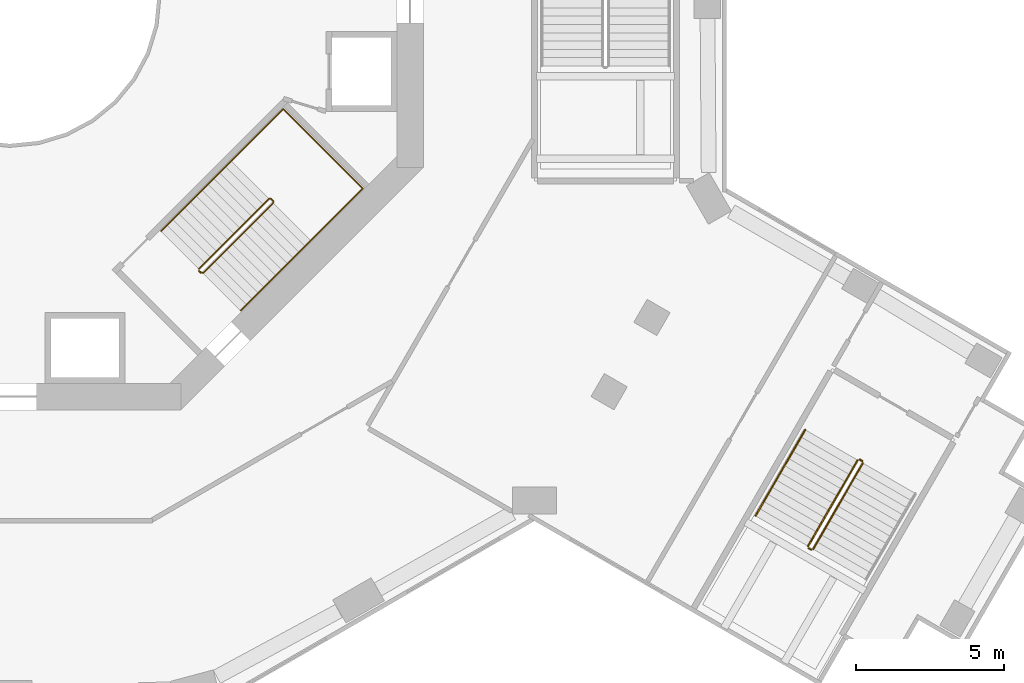
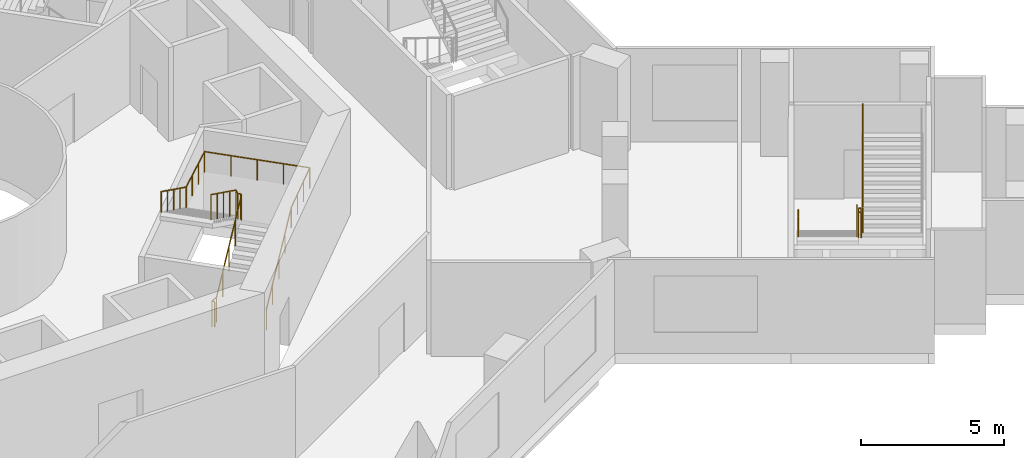
# One storey, part 17 of 20: 7 railings.
"""IFC4 building model written with IfcOpenShell, lengths in metres."""

from ifc_helpers import new_model, si_unit, direction, frame, origin, origin_2d, place, context, subcontext, project, spatial, circle, extrude, material, type_object, element, save


model = new_model("IFC4")

# Units and contexts
model_context = context("Model", 3, precision=1e-05, world=origin(), true_north=direction((0.0, 1.0)))
body_context = subcontext(model_context, "Body", "Model", "MODEL_VIEW")
ifc_project = project(units=[si_unit("LENGTHUNIT", "METRE"), si_unit("AREAUNIT", "SQUARE_METRE"), si_unit("VOLUMEUNIT", "CUBIC_METRE"), si_unit("PLANEANGLEUNIT", "RADIAN"), si_unit("MASSUNIT", "GRAM", prefix="KILO")], contexts=[model_context])

# Site, building, storey
site_placement = place(None, origin())
site = spatial("IfcSite", under=ifc_project, at=site_placement, CompositionType="ELEMENT")
building_placement = place(site_placement, origin())
building = spatial("IfcBuilding", under=site, at=building_placement, Name="Verdalira Terraces Hotel", CompositionType="ELEMENT")
storey_placement = place(building_placement, frame((0.0, 0.0, 23.5)))
storey = spatial("IfcBuildingStorey", under=building, at=storey_placement, Name="L04", CompositionType="ELEMENT", Elevation=23.5)

# Railings
ifc_material_1 = material(Name="Stainless steel", Category="steel")
railing_type_1 = type_object("IfcRailingType", Name="Stair guard 1100", PredefinedType="GUARDRAIL", material=ifc_material_1)
railing_1_placement = place(storey_placement, frame((6.469971, -9.369141, 0.0)))
element("IfcRailing", 1, at=railing_1_placement, inside=storey, type_object=railing_type_1, Name="L04 ST3 stair guard 1", PredefinedType="GUARDRAIL", context=body_context, shape_type="SweptSolid", body=[
    extrude(circle(Radius=0.023926, at=origin_2d()), frame((0.0, 0.0, 1.076172), z_axis=(-0.705884473, 0.70832698, 0.0), x_axis=(-0.70832698, -0.705884473, 0.0)), (0.0, 0.0, 1.0), 0.099854),
    extrude(circle(Radius=0.023926, at=origin_2d()), frame((-0.070557, 0.070801, 1.076172), z_axis=(0.602986962, -0.302014195, 0.738372636), x_axis=(0.447831187, 0.894118129, 0.0)), (0.0, 0.0, 1.0), 0.234375),
    extrude(circle(Radius=0.023926, at=origin_2d()), frame((0.070801, 0.0, 1.249023), z_axis=(0.601443524, 0.601505331, 0.525791806), x_axis=(-0.707143111, 0.707070449, 0.0)), (0.0, 0.0, 1.0), 3.949951),
    extrude(circle(Radius=0.023926, at=origin_2d()), frame((2.446533, 2.375977, 3.326172), z_axis=(0.0, 1.0, 0.0), x_axis=(-1.0, 0.0, 0.0)), (0.0, 0.0, 1.0), 0.070557),
    extrude(circle(Radius=0.023926, at=origin_2d()), frame((2.446533, 2.446533, 3.326172), z_axis=(-0.705884473, 0.70832698, 0.0), x_axis=(-0.70832698, -0.705884473, 0.0)), (0.0, 0.0, 1.0), 0.099854),
    extrude(circle(Radius=0.023926, at=origin_2d()), frame((2.375977, 2.517334, 3.326172), z_axis=(-0.378582013, 0.0, 0.92556775), x_axis=(0.0, -1.0, 0.0)), (0.0, 0.0, 1.0), 0.187012),
    extrude(circle(Radius=0.023926, at=origin_2d()), frame((2.305176, 2.517334, 3.499023), z_axis=(-0.601443524, -0.601505331, 0.525791806), x_axis=(0.707143111, -0.707070449, 0.0)), (0.0, 0.0, 1.0), 3.949951),
    extrude(circle(Radius=0.020996, at=origin_2d()), origin(), (0.0, 0.0, 1.0), 1.052002),
    extrude(circle(Radius=0.020996, at=origin_2d()), frame((-0.070557, 0.070801, 0.0)), (0.0, 0.0, 1.0), 1.052002),
    extrude(circle(Radius=0.020996, at=origin_2d()), frame((0.070801, 0.0, 0.173096)), (0.0, 0.0, 1.0), 1.052002),
    extrude(circle(Radius=0.020996, at=origin_2d()), frame((0.664795, 0.593994, 0.692383)), (0.0, 0.0, 1.0), 1.052002),
    extrude(circle(Radius=0.020996, at=origin_2d()), frame((1.258789, 1.187988, 1.211426)), (0.0, 0.0, 1.0), 1.052002),
    extrude(circle(Radius=0.020996, at=origin_2d()), frame((1.852539, 1.781982, 1.730713)), (0.0, 0.0, 1.0), 1.052002),
    extrude(circle(Radius=0.020996, at=origin_2d()), frame((2.446533, 2.375977, 2.25)), (0.0, 0.0, 1.0), 1.052002),
    extrude(circle(Radius=0.020996, at=origin_2d()), frame((2.446533, 2.446533, 2.25)), (0.0, 0.0, 1.0), 1.052002),
    extrude(circle(Radius=0.020996, at=origin_2d()), frame((2.375977, 2.517334, 2.25)), (0.0, 0.0, 1.0), 1.052002),
    extrude(circle(Radius=0.020996, at=origin_2d()), frame((2.305176, 2.517334, 2.423096)), (0.0, 0.0, 1.0), 1.052002),
    extrude(circle(Radius=0.020996, at=origin_2d()), frame((1.711182, 1.92334, 2.942383)), (0.0, 0.0, 1.0), 1.052002),
    extrude(circle(Radius=0.020996, at=origin_2d()), frame((1.117188, 1.329346, 3.461426)), (0.0, 0.0, 1.0), 1.052002),
    extrude(circle(Radius=0.020996, at=origin_2d()), frame((0.523438, 0.735352, 3.980713)), (0.0, 0.0, 1.0), 1.052002),
    extrude(circle(Radius=0.020996, at=origin_2d()), frame((-0.070557, 0.141357, 4.5)), (0.0, 0.0, 1.0), 1.052002),
])
railing_2_placement = place(storey_placement, frame((28.694092, -15.700439, 0.173096)))
element("IfcRailing", 2, at=railing_2_placement, inside=storey, type_object=railing_type_1, Name="L04 PS3 stair guard 1", PredefinedType="GUARDRAIL", context=body_context, shape_type="SweptSolid", body=[
    extrude(circle(Radius=0.023926, at=origin_2d()), frame((0.0, 0.0, 1.076172), z_axis=(-0.425339005, -0.73664859, 0.52577142), x_axis=(0.866007717, -0.500030633, 0.0)), (0.0, 0.0, 1.0), 3.950195),
    extrude(circle(Radius=0.020996, at=origin_2d()), origin(), (0.0, 0.0, 1.0), 1.052002),
    extrude(circle(Radius=0.020996, at=origin_2d()), frame((-0.419922, -0.727539, 0.519287)), (0.0, 0.0, 1.0), 1.052002),
    extrude(circle(Radius=0.020996, at=origin_2d()), frame((-0.840088, -1.455078, 1.038574)), (0.0, 0.0, 1.0), 1.052002),
    extrude(circle(Radius=0.020996, at=origin_2d()), frame((-1.260254, -2.182373, 1.557617)), (0.0, 0.0, 1.0), 1.052002),
    extrude(circle(Radius=0.020996, at=origin_2d()), frame((-1.680176, -2.909912, 2.076904)), (0.0, 0.0, 1.0), 1.052002),
])
railing_3_placement = place(storey_placement, frame((27.032227, -18.678711, 2.25)))
element("IfcRailing", 3, at=railing_3_placement, inside=storey, type_object=railing_type_1, Name="L04 PS3 stair guard 2", PredefinedType="GUARDRAIL", context=body_context, shape_type="SweptSolid", body=[
    extrude(circle(Radius=0.023926, at=origin_2d()), frame((0.0, 0.0, 1.076172), z_axis=(0.867038199, -0.498241669, 0.0), x_axis=(0.498241669, 0.867038199, 0.0)), (0.0, 0.0, 1.0), 0.099854),
    extrude(circle(Radius=0.020996, at=origin_2d()), origin(), (0.0, 0.0, 1.0), 1.052002),
    extrude(circle(Radius=0.020996, at=origin_2d()), frame((0.08667, -0.049805, 0.0)), (0.0, 0.0, 1.0), 1.052002),
])
railing_4_placement = place(storey_placement, frame((27.187256, -18.710205, 2.423096)))
element("IfcRailing", 4, at=railing_4_placement, inside=storey, type_object=railing_type_1, Name="L04 PS3 stair guard 3", PredefinedType="GUARDRAIL", context=body_context, shape_type="SweptSolid", body=[
    extrude(circle(Radius=0.023926, at=origin_2d()), frame((0.0, 0.0, 1.076172), z_axis=(0.425307743, 0.736639687, 0.525809181), x_axis=(-0.866021015, 0.500007602, 0.0)), (0.0, 0.0, 1.0), 3.949951),
    extrude(circle(Radius=0.020996, at=origin_2d()), origin(), (0.0, 0.0, 1.0), 1.052002),
    extrude(circle(Radius=0.020996, at=origin_2d()), frame((0.419922, 0.727539, 0.519287)), (0.0, 0.0, 1.0), 1.052002),
    extrude(circle(Radius=0.020996, at=origin_2d()), frame((0.839844, 1.454834, 1.038574)), (0.0, 0.0, 1.0), 1.052002),
    extrude(circle(Radius=0.020996, at=origin_2d()), frame((1.26001, 2.182129, 1.557617)), (0.0, 0.0, 1.0), 1.052002),
    extrude(circle(Radius=0.020996, at=origin_2d()), frame((1.679932, 2.909668, 2.076904)), (0.0, 0.0, 1.0), 1.052002),
])
railing_5_placement = place(storey_placement, frame((28.762451, -15.682129, 0.0)))
element("IfcRailing", 5, at=railing_5_placement, inside=storey, type_object=railing_type_1, Name="L04 PS3 stair guard 4", PredefinedType="GUARDRAIL", context=body_context, shape_type="SweptSolid", body=[
    extrude(circle(Radius=0.023926, at=origin_2d()), frame((0.0, 0.0, 1.076172), z_axis=(0.865370492, -0.501132629, 0.0), x_axis=(0.501132629, 0.865370492, 0.0)), (0.0, 0.0, 1.0), 0.099854),
    extrude(circle(Radius=0.020996, at=origin_2d()), origin(), (0.0, 0.0, 1.0), 1.052002),
    extrude(circle(Radius=0.020996, at=origin_2d()), frame((0.086426, -0.050049, 0.0)), (0.0, 0.0, 1.0), 1.052002),
])
ifc_material_2 = material(Name="Stainless steel", Category="steel")
railing_type_2 = type_object("IfcRailingType", Name="Stair handrail 900", PredefinedType="HANDRAIL", material=ifc_material_2)
railing_6_placement = place(storey_placement, frame((7.813477, -10.641846, 0.173096)))
element("IfcRailing", 6, at=railing_6_placement, inside=storey, type_object=railing_type_2, Name="L04 ST3 stair handrail 1", PredefinedType="HANDRAIL", context=body_context, shape_type="SweptSolid", body=[
    extrude(circle(Radius=0.023926, at=origin_2d()), frame((0.0, 0.0, 0.875977), z_axis=(0.601505331, 0.601443524, 0.525791806), x_axis=(-0.707070449, 0.707143111, 0.0)), (0.0, 0.0, 1.0), 3.949951),
    extrude(circle(Radius=0.023926, at=origin_2d()), frame((2.375977, 2.375732, 2.952637), z_axis=(0.707106781, 0.707106781, 0.0), x_axis=(-0.707106781, 0.707106781, 0.0)), (0.0, 0.0, 1.0), 2.48999),
    extrude(circle(Radius=0.023926, at=origin_2d()), frame((4.136719, 4.136475, 2.952637), z_axis=(-0.707106781, 0.707106781, 0.0), x_axis=(-0.707106781, -0.707106781, 0.0)), (0.0, 0.0, 1.0), 3.800049),
    extrude(circle(Radius=0.023926, at=origin_2d()), frame((1.449707, 6.823486, 2.952637), z_axis=(-0.705404483, -0.705404483, 0.069347168), x_axis=(0.707106781, -0.707106781, 0.0)), (0.0, 0.0, 1.0), 2.496094),
    extrude(circle(Radius=0.023926, at=origin_2d()), frame((-0.311035, 5.062744, 3.125977), z_axis=(-0.601505331, -0.601443524, 0.525791806), x_axis=(0.707070449, -0.707143111, 0.0)), (0.0, 0.0, 1.0), 3.949951),
    extrude(circle(Radius=0.020996, at=origin_2d()), origin(), (0.0, 0.0, 1.0), 0.851807),
    extrude(circle(Radius=0.020996, at=origin_2d()), frame((0.593994, 0.593994, 0.519287)), (0.0, 0.0, 1.0), 0.851807),
    extrude(circle(Radius=0.020996, at=origin_2d()), frame((1.187988, 1.187988, 1.038574)), (0.0, 0.0, 1.0), 0.851807),
    extrude(circle(Radius=0.020996, at=origin_2d()), frame((1.781982, 1.781738, 1.557617)), (0.0, 0.0, 1.0), 0.851807),
    extrude(circle(Radius=0.020996, at=origin_2d()), frame((2.375977, 2.375732, 2.076904)), (0.0, 0.0, 1.0), 0.851807),
    extrude(circle(Radius=0.020996, at=origin_2d()), frame((2.962891, 2.962646, 2.076904)), (0.0, 0.0, 1.0), 0.851807),
    extrude(circle(Radius=0.020996, at=origin_2d()), frame((3.549805, 3.549561, 2.076904)), (0.0, 0.0, 1.0), 0.851807),
    extrude(circle(Radius=0.020996, at=origin_2d()), frame((4.136719, 4.136475, 2.076904)), (0.0, 0.0, 1.0), 0.851807),
    extrude(circle(Radius=0.020996, at=origin_2d()), frame((3.464844, 4.808105, 2.076904)), (0.0, 0.0, 1.0), 0.851807),
    extrude(circle(Radius=0.020996, at=origin_2d()), frame((2.793213, 5.47998, 2.076904)), (0.0, 0.0, 1.0), 0.851807),
    extrude(circle(Radius=0.020996, at=origin_2d()), frame((2.121582, 6.151855, 2.076904)), (0.0, 0.0, 1.0), 0.851807),
    extrude(circle(Radius=0.020996, at=origin_2d()), frame((1.449707, 6.823486, 2.076904)), (0.0, 0.0, 1.0), 0.851807),
    extrude(circle(Radius=0.020996, at=origin_2d()), frame((0.862793, 6.236572, 2.134521)), (0.0, 0.0, 1.0), 0.851807),
    extrude(circle(Radius=0.020996, at=origin_2d()), frame((0.275879, 5.649658, 2.192383)), (0.0, 0.0, 1.0), 0.851807),
    extrude(circle(Radius=0.020996, at=origin_2d()), frame((-0.311035, 5.062744, 2.25)), (0.0, 0.0, 1.0), 0.851807),
    extrude(circle(Radius=0.020996, at=origin_2d()), frame((-0.905029, 4.46875, 2.769287)), (0.0, 0.0, 1.0), 0.851807),
    extrude(circle(Radius=0.020996, at=origin_2d()), frame((-1.499023, 3.875, 3.288574)), (0.0, 0.0, 1.0), 0.851807),
    extrude(circle(Radius=0.020996, at=origin_2d()), frame((-2.093018, 3.281006, 3.807617)), (0.0, 0.0, 1.0), 0.851807),
    extrude(circle(Radius=0.020996, at=origin_2d()), frame((-2.687012, 2.687012, 4.326904)), (0.0, 0.0, 1.0), 0.851807),
])
railing_7_placement = place(storey_placement, frame((26.918701, -14.675537, 0.173096)))
element("IfcRailing", 7, at=railing_7_placement, inside=storey, type_object=railing_type_2, Name="L04 PS3 stair handrail 1", PredefinedType="HANDRAIL", context=body_context, shape_type="SweptSolid", body=[
    extrude(circle(Radius=0.023926, at=origin_2d()), frame((0.0, 0.0, 0.875977), z_axis=(-0.425307743, -0.736639687, 0.525809181), x_axis=(0.866021015, -0.500007602, 0.0)), (0.0, 0.0, 1.0), 3.949951),
    extrude(circle(Radius=0.020996, at=origin_2d()), origin(), (0.0, 0.0, 1.0), 0.851807),
    extrude(circle(Radius=0.020996, at=origin_2d()), frame((-0.419922, -0.727539, 0.519287)), (0.0, 0.0, 1.0), 0.851807),
    extrude(circle(Radius=0.020996, at=origin_2d()), frame((-0.839844, -1.454834, 1.038574)), (0.0, 0.0, 1.0), 0.851807),
    extrude(circle(Radius=0.020996, at=origin_2d()), frame((-1.26001, -2.182129, 1.557617)), (0.0, 0.0, 1.0), 0.851807),
    extrude(circle(Radius=0.020996, at=origin_2d()), frame((-1.679932, -2.909668, 2.076904)), (0.0, 0.0, 1.0), 0.851807),
])

save(model, "model.ifc")
